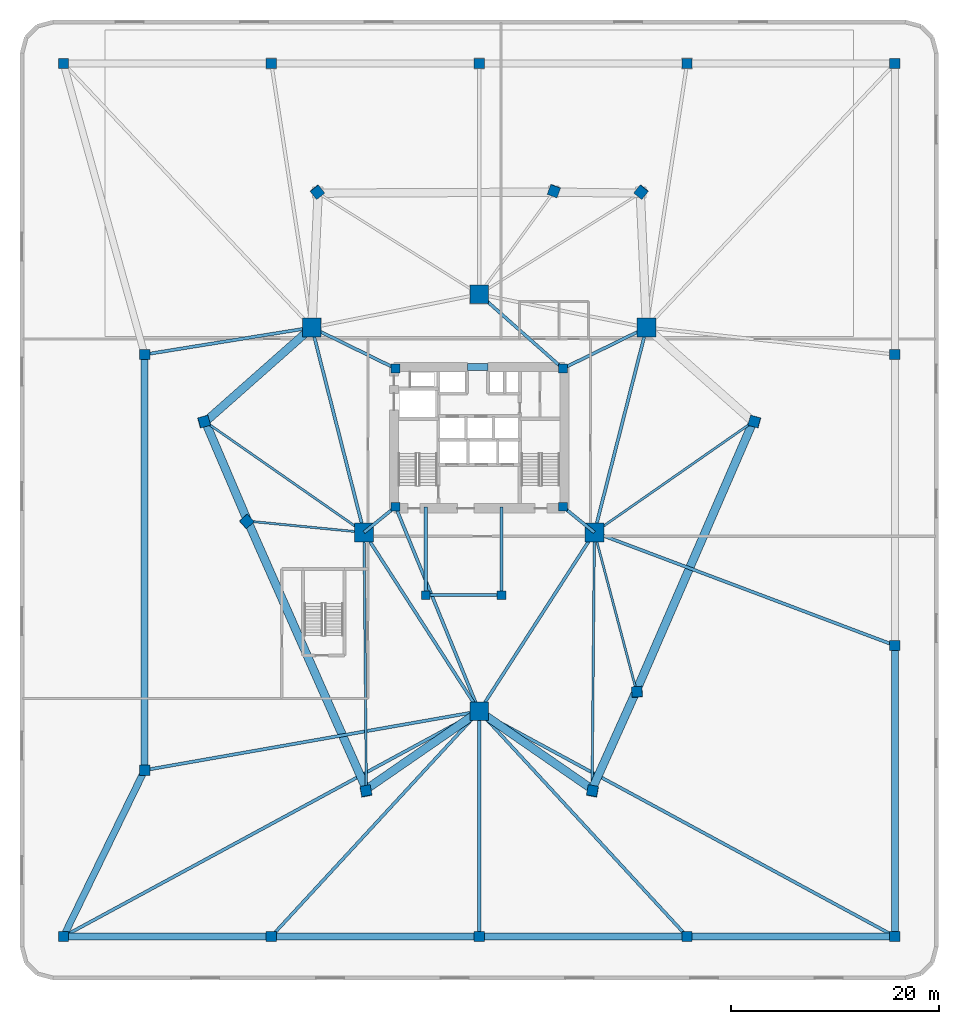
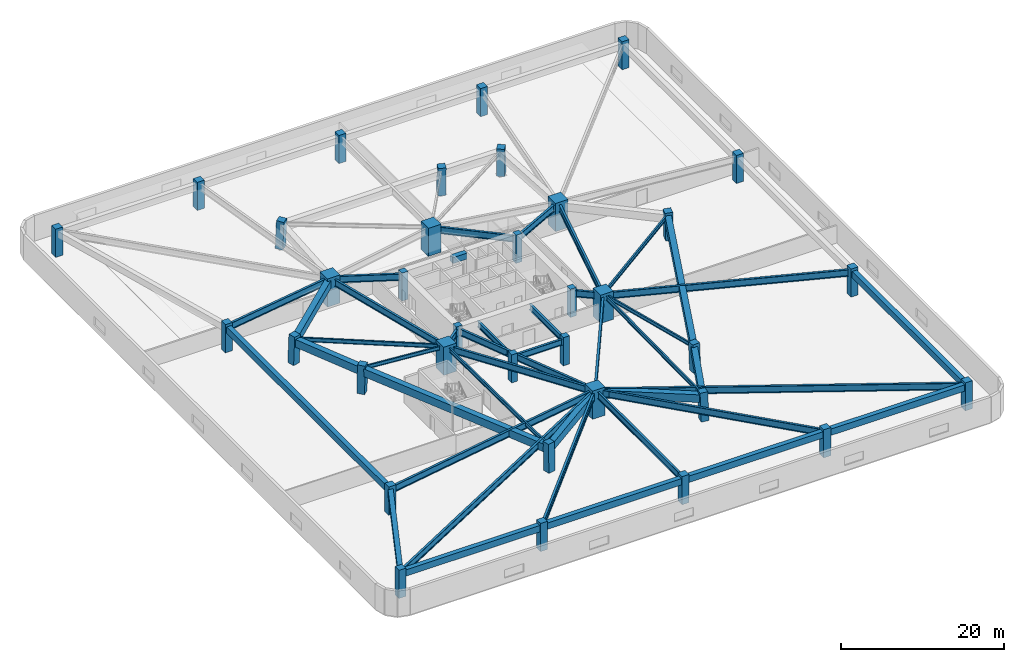
# One storey, part 1 of 10: 42 beams, 35 columns.
"""IFC4 building model written with IfcOpenShell, lengths in metres."""

from ifc_helpers import new_model, si_unit, direction, frame, origin, origin_2d, place, context, subcontext, project, spatial, rectangle, i_section, extrude, material, material_profile, profile_set, type_object, element, save


model = new_model("IFC4")

# Units and contexts
model_context = context("Model", 3, precision=1e-05, world=origin(), true_north=direction((0.0, 1.0)))
body_context = subcontext(model_context, "Body", "Model", "MODEL_VIEW")
ifc_project = project(units=[si_unit("LENGTHUNIT", "METRE"), si_unit("AREAUNIT", "SQUARE_METRE"), si_unit("VOLUMEUNIT", "CUBIC_METRE"), si_unit("PLANEANGLEUNIT", "RADIAN"), si_unit("MASSUNIT", "GRAM", prefix="KILO")], contexts=[model_context])

# Site, building, storey
site_placement = place(None, origin())
site = spatial("IfcSite", under=ifc_project, at=site_placement, CompositionType="ELEMENT")
building_placement = place(site_placement, origin())
building = spatial("IfcBuilding", under=site, at=building_placement, Name="Talyreon Biosciences Tower", CompositionType="ELEMENT")
storey_placement = place(building_placement, frame((0.0, 0.0, 18.60009765625)))
storey = spatial("IfcBuildingStorey", under=building, at=storey_placement, Name="L04", CompositionType="ELEMENT", Elevation=18.60009765625)

# Columns
ifc_material_1 = material(Name="Concrete C60/75", Category="concrete")
ifc_material_profile_1 = material_profile(ifc_material_1, rectangle(XDim=1.800048828125, YDim=1.800048828125, at=origin_2d()), Name="RC 1800x1800")
ifc_profile_set_1 = profile_set([ifc_material_profile_1], Name="Concrete C60/75")
column_type_1 = type_object("IfcColumnType", Name="MegaColumn_1800", PredefinedType="COLUMN", material=ifc_profile_set_1)
for number, where, z_axis, x_axis, name in (
    (1, (66.0, 41.6669921875, 0.0), (0.0, 0.0, 1.0), (1.0, 0.0, 0.0), "L04 Composite Mega-Column MC1"),
    (2, (82.102294921875, 78.5986328125, 0.0), (0.0, 0.0, 1.0), (1.0, 0.0, 0.0), "L04 Composite Mega-Column MC2"),
    (3, (49.897705078125, 78.5986328125, 0.0), (0.0, 0.0, 1.0), (1.0, 0.0, 0.0), "L04 Composite Mega-Column MC3"),
    (4, (77.086181640625, 58.88037109375, 0.0), (0.0, 0.0, 1.0), (1.0, 0.0, 0.0), "L04 Composite Mega-Column MC4"),
    (5, (66.0, 81.788818359375, 0.0), (0.0, 0.0, 1.0), (1.0, 0.0, 0.0), "L04 Composite Mega-Column MC5"),
    (6, (54.913818359375, 58.88037109375, 0.0), (0.0, 0.0, 1.0), (1.0, 0.0, 0.0), "L04 Composite Mega-Column MC6"),
):
    element("IfcColumn", number, at=place(storey_placement, frame(where, z_axis=z_axis, x_axis=x_axis)), inside=storey, type_object=column_type_1, Name=name, PredefinedType="COLUMN", context=body_context, shape_type="SweptSolid", body=[
        extrude(rectangle(XDim=1.800048828125, YDim=1.800048828125, at=origin_2d()), origin(), (0.0, 0.0, 1.0), 4.199951171875),
    ])
ifc_material_profile_2 = material_profile(ifc_material_1, rectangle(XDim=0.85009765625, YDim=0.85009765625, at=origin_2d()), Name="RC 850x850")
ifc_profile_set_2 = profile_set([ifc_material_profile_2], Name="Concrete C60/75")
column_type_2 = type_object("IfcColumnType", Name="PerimeterColumn_850", PredefinedType="COLUMN", material=ifc_profile_set_2)
for number, where, z_axis, x_axis, name in (
    (7, (57.949951171875, 61.35009765625, 0.0), (0.0, 0.0, 1.0), (1.0, 0.0, 0.0), "L04 Core Column CC1"),
    (8, (74.050048828125, 61.35009765625, 0.0), (0.0, 0.0, 1.0), (1.0, 0.0, 0.0), "L04 Core Column CC2"),
    (9, (74.050048828125, 74.64990234375, 0.0), (0.0, 0.0, 1.0), (1.0, 0.0, 0.0), "L04 Core Column CC3"),
    (10, (57.949951171875, 74.64990234375, 0.0), (0.0, 0.0, 1.0), (1.0, 0.0, 0.0), "L04 Core Column CC4"),
    (11, (60.85009765625, 52.840087890625, 0.0), (0.0, 0.0, 1.0), (1.0, 0.0, 0.0), "L04 Core Column CSW"),
    (12, (68.14990234375, 52.840087890625, 0.0), (0.0, 0.0, 1.0), (1.0, 0.0, 0.0), "L04 Core Column CSE"),
):
    element("IfcColumn", number, at=place(storey_placement, frame(where, z_axis=z_axis, x_axis=x_axis)), inside=storey, type_object=column_type_2, Name=name, PredefinedType="COLUMN", context=body_context, shape_type="SweptSolid", body=[
        extrude(rectangle(XDim=0.85009765625, YDim=0.85009765625, at=origin_2d()), origin(), (0.0, 0.0, 1.0), 4.199951171875),
    ])
ifc_material_profile_3 = material_profile(ifc_material_1, rectangle(XDim=1.0, YDim=1.0, at=origin_2d()), Name="RC 1000x1000")
ifc_profile_set_3 = profile_set([ifc_material_profile_3], Name="Concrete C60/75")
column_type_3 = type_object("IfcColumnType", Name="PodiumColumn_1000", PredefinedType="COLUMN", material=ifc_profile_set_3)
for number, where, z_axis, x_axis, name in (
    (13, (26.0, 20.0, 0.0), (0.0, 0.0, 1.0), (1.0, 0.0, 0.0), "L04 Podium Pilotis Column PDC01"),
    (14, (46.0, 20.0, 0.0), (0.0, 0.0, 1.0), (1.0, 0.0, 0.0), "L04 Podium Pilotis Column PDC02"),
    (15, (66.0, 20.0, 0.0), (0.0, 0.0, 1.0), (1.0, 0.0, 0.0), "L04 Podium Pilotis Column PDC03"),
    (16, (86.0, 20.0, 0.0), (0.0, 0.0, 1.0), (1.0, 0.0, 0.0), "L04 Podium Pilotis Column PDC04"),
    (17, (106.0, 20.0, 0.0), (0.0, 0.0, 1.0), (1.0, 0.0, 0.0), "L04 Podium Pilotis Column PDC05"),
    (18, (106.0, 48.0, 0.0), (0.0, 0.0, 1.0), (1.0, 0.0, 0.0), "L04 Podium Pilotis Column PDC06"),
    (19, (106.0, 76.0, 0.0), (0.0, 0.0, 1.0), (1.0, 0.0, 0.0), "L04 Podium Pilotis Column PDC07"),
    (20, (106.0, 104.0, 0.0), (0.0, 0.0, 1.0), (1.0, 0.0, 0.0), "L04 Podium Pilotis Column PDC08"),
    (21, (86.0, 104.0, 0.0), (0.0, 0.0, 1.0), (1.0, 0.0, 0.0), "L04 Podium Pilotis Column PDC09"),
    (22, (66.0, 104.0, 0.0), (0.0, 0.0, 1.0), (1.0, 0.0, 0.0), "L04 Podium Pilotis Column PDC10"),
    (23, (46.0, 104.0, 0.0), (0.0, 0.0, 1.0), (1.0, 0.0, 0.0), "L04 Podium Pilotis Column PDC11"),
    (24, (26.0, 104.0, 0.0), (0.0, 0.0, 1.0), (1.0, 0.0, 0.0), "L04 Podium Pilotis Column PDC12"),
    (25, (33.800048828125, 76.0, 0.0), (0.0, 0.0, 1.0), (1.0, 0.0, 0.0), "L04 Podium Pilotis Column PDC13"),
    (26, (33.800048828125, 36.0, 0.0), (0.0, 0.0, 1.0), (1.0, 0.0, 0.0), "L04 Podium Pilotis Column PDC14"),
):
    element("IfcColumn", number, at=place(storey_placement, frame(where, z_axis=z_axis, x_axis=x_axis)), inside=storey, type_object=column_type_3, Name=name, PredefinedType="COLUMN", context=body_context, shape_type="SweptSolid", body=[
        extrude(rectangle(XDim=1.0, YDim=1.0, at=origin_2d()), origin(), (0.0, 0.0, 1.0), 4.199951171875),
    ])
column_1_placement = place(storey_placement, frame((76.906494140625, 33.97216796875, 0.0029296875), z_axis=(-0.010756270952, 0.047327592189, 0.998821506403), x_axis=(-0.188695934145, -0.981028961424, 0.044452460957)))
element("IfcColumn", 27, at=column_1_placement, inside=storey, type_object=column_type_3, Name="L04 Tapering Perimeter Column PC-SE1", PredefinedType="COLUMN", context=body_context, shape_type="SweptSolid", body=[
    extrude(rectangle(XDim=1.0, YDim=1.0, at=origin_2d()), origin(), (0.0, 0.0, 1.0), 4.198974609375),
])
column_2_placement = place(storey_placement, frame((81.196533203125, 43.51123046875, 0.0029296875), z_axis=(-0.01704378489, 0.033273190979, 0.999300957749), x_axis=(0.059994275306, -0.997611295684, 0.034240176017)))
element("IfcColumn", 28, at=column_2_placement, inside=storey, type_object=column_type_3, Name="L04 Tapering Perimeter Column PL-SE", PredefinedType="COLUMN", context=body_context, shape_type="SweptSolid", body=[
    extrude(rectangle(XDim=1.0, YDim=1.0, at=origin_2d()), origin(), (0.0, 0.0, 1.0), 4.197021484375),
])
column_3_placement = place(storey_placement, frame((92.50048828125, 69.5517578125, 0.0029296875), z_axis=(-0.034091169757, -0.004944964896, 0.999406493608), x_axis=(0.963493735063, -0.265865338841, 0.031550659232)))
element("IfcColumn", 29, at=column_3_placement, inside=storey, type_object=column_type_3, Name="L04 Tapering Perimeter Column PC-SE2", PredefinedType="COLUMN", context=body_context, shape_type="SweptSolid", body=[
    extrude(rectangle(XDim=1.0, YDim=1.0, at=origin_2d()), origin(), (0.0, 0.0, 1.0), 4.196533203125),
])
column_4_placement = place(storey_placement, frame((81.593994140625, 91.648681640625, 0.0029296875), z_axis=(-0.02332622372, -0.029085066982, 0.999304731384), x_axis=(-0.780107149771, 0.625645934116, 0.0)))
element("IfcColumn", 30, at=column_4_placement, inside=storey, type_object=column_type_3, Name="L04 Tapering Perimeter Column PC-N1", PredefinedType="COLUMN", context=body_context, shape_type="SweptSolid", body=[
    extrude(rectangle(XDim=1.0, YDim=1.0, at=origin_2d()), origin(), (0.0, 0.0, 1.0), 4.197021484375),
])
column_5_placement = place(storey_placement, frame((73.197265625, 91.748779296875, 0.0029296875), z_axis=(-0.010763761875, -0.029149430808, 0.999517109465), x_axis=(-0.9380871136, 0.346399433166, 0.0)))
element("IfcColumn", 31, at=column_5_placement, inside=storey, type_object=column_type_3, Name="L04 Tapering Perimeter Column PL-N", PredefinedType="COLUMN", context=body_context, shape_type="SweptSolid", body=[
    extrude(rectangle(XDim=1.0, YDim=1.0, at=origin_2d()), origin(), (0.0, 0.0, 1.0), 4.196044921875),
])
column_6_placement = place(storey_placement, frame((50.406005859375, 91.648681640625, 0.0029296875), z_axis=(0.02332622372, -0.029085066982, 0.999304731384), x_axis=(-0.780107149771, -0.625645934116, 0.0)))
element("IfcColumn", 32, at=column_6_placement, inside=storey, type_object=column_type_3, Name="L04 Tapering Perimeter Column PC-N2", PredefinedType="COLUMN", context=body_context, shape_type="SweptSolid", body=[
    extrude(rectangle(XDim=1.0, YDim=1.0, at=origin_2d()), origin(), (0.0, 0.0, 1.0), 4.197021484375),
])
column_7_placement = place(storey_placement, frame((39.49951171875, 69.5517578125, 0.0029296875), z_axis=(0.034091169757, -0.004944964896, 0.999406493608), x_axis=(0.963493735063, 0.265865338841, -0.031550659232)))
element("IfcColumn", 33, at=column_7_placement, inside=storey, type_object=column_type_3, Name="L04 Tapering Perimeter Column PC-SW1", PredefinedType="COLUMN", context=body_context, shape_type="SweptSolid", body=[
    extrude(rectangle(XDim=1.0, YDim=1.0, at=origin_2d()), origin(), (0.0, 0.0, 1.0), 4.196533203125),
])
column_8_placement = place(storey_placement, frame((43.606201171875, 59.9326171875, 0.0029296875), z_axis=(0.027812758969, 0.009076967362, 0.999571937932), x_axis=(0.745782245693, 0.665650678625, -0.026795821602)))
element("IfcColumn", 34, at=column_8_placement, inside=storey, type_object=column_type_3, Name="L04 Tapering Perimeter Column PL-SW", PredefinedType="COLUMN", context=body_context, shape_type="SweptSolid", body=[
    extrude(rectangle(XDim=1.0, YDim=1.0, at=origin_2d()), origin(), (0.0, 0.0, 1.0), 4.19580078125),
])
column_9_placement = place(storey_placement, frame((55.093505859375, 33.97216796875, 0.0029296875), z_axis=(0.010756270952, 0.047327592189, 0.998821506403), x_axis=(-0.188695934145, 0.981028961424, -0.044452460957)))
element("IfcColumn", 35, at=column_9_placement, inside=storey, type_object=column_type_3, Name="L04 Tapering Perimeter Column PC-SW2", PredefinedType="COLUMN", context=body_context, shape_type="SweptSolid", body=[
    extrude(rectangle(XDim=1.0, YDim=1.0, at=origin_2d()), origin(), (0.0, 0.0, 1.0), 4.198974609375),
])

# Beams
ifc_material_profile_4 = material_profile(ifc_material_1, rectangle(XDim=0.699951171875, YDim=0.89990234375, at=origin_2d()), Name="RCB 700x900")
ifc_profile_set_4 = profile_set([ifc_material_profile_4], Name="Concrete C60/75")
beam_type_1 = type_object("IfcBeamType", Name="CoreCouplingLintel_700x900", PredefinedType="LINTEL", material=ifc_profile_set_4)
beam_1_placement = place(storey_placement, frame((64.85009765625, 74.800048828125, 3.349853515625), z_axis=(1.0, 0.0, 0.0), x_axis=(0.0, 1.0, 0.0)))
element("IfcBeam", 36, at=beam_1_placement, inside=storey, type_object=beam_type_1, Name="L04 Core Coupling Lintel", PredefinedType="LINTEL", context=body_context, shape_type="SweptSolid", body=[
    extrude(rectangle(XDim=0.699951171875, YDim=0.89990234375, at=origin_2d()), origin(), (0.0, 0.0, 1.0), 2.0),
])
ifc_material_2 = material(Name="Concrete C50/60", Category="concrete")
ifc_material_profile_5 = material_profile(ifc_material_2, rectangle(XDim=0.64990234375, YDim=0.949951171875, at=origin_2d()), Name="RCB 650x950")
ifc_profile_set_5 = profile_set([ifc_material_profile_5], Name="Concrete C50/60")
beam_type_2 = type_object("IfcBeamType", Name="PodiumGirder_650x950", PredefinedType="T_BEAM", material=ifc_profile_set_5)
for number, where, z_axis, x_axis, name in (
    (37, (26.0, 20.0, 3.324951171875), (1.0, 0.0, 0.0), (0.0, 1.0, 0.0), "L04 Podium Perimeter Ring Girder 01"),
    (38, (46.0, 20.0, 3.324951171875), (1.0, 0.0, 0.0), (0.0, 1.0, 0.0), "L04 Podium Perimeter Ring Girder 02"),
    (39, (66.0, 20.0, 3.324951171875), (1.0, 0.0, 0.0), (0.0, 1.0, 0.0), "L04 Podium Perimeter Ring Girder 03"),
    (40, (86.0, 20.0, 3.324951171875), (1.0, 0.0, 0.0), (0.0, 1.0, 0.0), "L04 Podium Perimeter Ring Girder 04"),
):
    element("IfcBeam", number, at=place(storey_placement, frame(where, z_axis=z_axis, x_axis=x_axis)), inside=storey, type_object=beam_type_2, Name=name, PredefinedType="T_BEAM", context=body_context, shape_type="SweptSolid", body=[
        extrude(rectangle(XDim=0.64990234375, YDim=0.949951171875, at=origin_2d()), origin(), (0.0, 0.0, 1.0), 20.0),
    ])
beam_2_placement = place(storey_placement, frame((106.0, 20.0, 3.324951171875), z_axis=(0.0, 1.0, 0.0), x_axis=(-1.0, 0.0, 0.0)))
element("IfcBeam", 41, at=beam_2_placement, inside=storey, type_object=beam_type_2, Name="L04 Podium Perimeter Ring Girder 05", PredefinedType="T_BEAM", context=body_context, shape_type="SweptSolid", body=[
    extrude(rectangle(XDim=0.64990234375, YDim=0.949951171875, at=origin_2d()), origin(), (0.0, 0.0, 1.0), 28.0),
])
beam_3_placement = place(storey_placement, frame((33.800048828125, 76.0, 3.324951171875), z_axis=(0.0, -1.0, 0.0), x_axis=(1.0, 0.0, 0.0)))
element("IfcBeam", 42, at=beam_3_placement, inside=storey, type_object=beam_type_2, Name="L04 Podium Perimeter Ring Girder 13", PredefinedType="T_BEAM", context=body_context, shape_type="SweptSolid", body=[
    extrude(rectangle(XDim=0.64990234375, YDim=0.949951171875, at=origin_2d()), origin(), (0.0, 0.0, 1.0), 40.0),
])
beam_4_placement = place(storey_placement, frame((33.800048828125, 36.0, 3.324951171875), z_axis=(-0.438204463597, -0.898875323993, 0.0), x_axis=(0.898875323993, -0.438204463597, 0.0)))
element("IfcBeam", 43, at=beam_4_placement, inside=storey, type_object=beam_type_2, Name="L04 Podium Perimeter Ring Girder 14", PredefinedType="T_BEAM", context=body_context, shape_type="SweptSolid", body=[
    extrude(rectangle(XDim=0.64990234375, YDim=0.949951171875, at=origin_2d()), origin(), (0.0, 0.0, 1.0), 17.800048828125),
])
ifc_material_3 = material(Name="Steel SM420", Category="steel")
ifc_material_profile_6 = material_profile(ifc_material_3, i_section(OverallWidth=0.302001953125, OverallDepth=1.008056640625, WebThickness=0.02099609375, FlangeThickness=0.0400390625, FilletRadius=0.030029296875, at=origin_2d()), Name="HE1000M")
ifc_profile_set_6 = profile_set([ifc_material_profile_6], Name="Steel SM420")
beam_type_3 = type_object("IfcBeamType", Name="SteelGirder_HE1000M", PredefinedType="BEAM", material=ifc_profile_set_6)
beam_5_placement = place(storey_placement, frame((66.0, 41.6669921875, 3.2958984375), z_axis=(0.541463723609, 0.840724114092, 0.0), x_axis=(-0.840724114092, 0.541463723609, 0.0)))
element("IfcBeam", 44, at=beam_5_placement, inside=storey, type_object=beam_type_3, Name="L04 Mega-Ring Girder 1", PredefinedType="BEAM", context=body_context, shape_type="SweptSolid", body=[
    extrude(i_section(OverallWidth=0.302001953125, OverallDepth=1.008056640625, WebThickness=0.02099609375, FlangeThickness=0.0400390625, FilletRadius=0.030029296875, at=origin_2d()), origin(), (0.0, 0.0, 1.0), 20.474365234375),
])
for number, where, z_axis, x_axis, name in (
    (45, (77.086181640625, 58.88037109375, 3.2958984375), (0.246537082299, 0.969133358755, 0.0), (-0.969133358755, 0.246537082299, 0.0), "L04 Mega-Ring Girder 2"),
    (46, (49.897705078125, 78.5986328125, 3.2958984375), (0.246537082299, -0.969133358755, 0.0), (0.969133358755, 0.246537082299, 0.0), "L04 Mega-Ring Girder 5"),
):
    element("IfcBeam", number, at=place(storey_placement, frame(where, z_axis=z_axis, x_axis=x_axis)), inside=storey, type_object=beam_type_3, Name=name, PredefinedType="BEAM", context=body_context, shape_type="SweptSolid", body=[
        extrude(i_section(OverallWidth=0.302001953125, OverallDepth=1.008056640625, WebThickness=0.02099609375, FlangeThickness=0.0400390625, FilletRadius=0.030029296875, at=origin_2d()), origin(), (0.0, 0.0, 1.0), 20.34619140625),
    ])
beam_6_placement = place(storey_placement, frame((54.913818359375, 58.88037109375, 3.2958984375), z_axis=(0.541463723609, -0.840724114092, 0.0), x_axis=(0.840724114092, 0.541463723609, 0.0)))
element("IfcBeam", 47, at=beam_6_placement, inside=storey, type_object=beam_type_3, Name="L04 Mega-Ring Girder 6", PredefinedType="BEAM", context=body_context, shape_type="SweptSolid", body=[
    extrude(i_section(OverallWidth=0.302001953125, OverallDepth=1.008056640625, WebThickness=0.02099609375, FlangeThickness=0.0400390625, FilletRadius=0.030029296875, at=origin_2d()), origin(), (0.0, 0.0, 1.0), 20.474365234375),
])
beam_7_placement = place(storey_placement, frame((57.949951171875, 61.35009765625, 3.2958984375), z_axis=(0.378547014545, -0.925582064314, 0.0), x_axis=(0.925582064314, 0.378547014545, 0.0)))
element("IfcBeam", 48, at=beam_7_placement, inside=storey, type_object=beam_type_3, Name="L04 Radial Primary Girder 1", PredefinedType="BEAM", context=body_context, shape_type="SweptSolid", body=[
    extrude(i_section(OverallWidth=0.302001953125, OverallDepth=1.008056640625, WebThickness=0.02099609375, FlangeThickness=0.0400390625, FilletRadius=0.030029296875, at=origin_2d()), origin(), (0.0, 0.0, 1.0), 21.265625),
])
beam_8_placement = place(storey_placement, frame((74.050048828125, 61.35009765625, 3.2958984375), z_axis=(0.775755154013, -0.631034025249, 0.0), x_axis=(0.631034025249, 0.775755154013, 0.0)))
element("IfcBeam", 49, at=beam_8_placement, inside=storey, type_object=beam_type_3, Name="L04 Radial Primary Girder 2", PredefinedType="BEAM", context=body_context, shape_type="SweptSolid", body=[
    extrude(i_section(OverallWidth=0.302001953125, OverallDepth=1.008056640625, WebThickness=0.02099609375, FlangeThickness=0.0400390625, FilletRadius=0.030029296875, at=origin_2d()), origin(), (0.0, 0.0, 1.0), 3.913818359375),
])
beam_9_placement = place(storey_placement, frame((74.050048828125, 74.64990234375, 3.2958984375), z_axis=(0.897852360314, 0.440296648952, 0.0), x_axis=(-0.440296648952, 0.897852360314, 0.0)))
element("IfcBeam", 50, at=beam_9_placement, inside=storey, type_object=beam_type_3, Name="L04 Radial Primary Girder 3", PredefinedType="BEAM", context=body_context, shape_type="SweptSolid", body=[
    extrude(i_section(OverallWidth=0.302001953125, OverallDepth=1.008056640625, WebThickness=0.02099609375, FlangeThickness=0.0400390625, FilletRadius=0.030029296875, at=origin_2d()), origin(), (0.0, 0.0, 1.0), 8.96826171875),
])
beam_10_placement = place(storey_placement, frame((74.050048828125, 74.64990234375, 3.2958984375), z_axis=(-0.748178733955, 0.663497235908, 0.0), x_axis=(-0.663497235908, -0.748178733955, 0.0)))
element("IfcBeam", 51, at=beam_10_placement, inside=storey, type_object=beam_type_3, Name="L04 Radial Primary Girder 4", PredefinedType="BEAM", context=body_context, shape_type="SweptSolid", body=[
    extrude(i_section(OverallWidth=0.302001953125, OverallDepth=1.008056640625, WebThickness=0.02099609375, FlangeThickness=0.0400390625, FilletRadius=0.030029296875, at=origin_2d()), origin(), (0.0, 0.0, 1.0), 10.759521484375),
])
beam_11_placement = place(storey_placement, frame((57.949951171875, 74.64990234375, 3.2958984375), z_axis=(-0.897852360314, 0.440296648952, 0.0), x_axis=(-0.440296648952, -0.897852360314, 0.0)))
element("IfcBeam", 52, at=beam_11_placement, inside=storey, type_object=beam_type_3, Name="L04 Radial Primary Girder 5", PredefinedType="BEAM", context=body_context, shape_type="SweptSolid", body=[
    extrude(i_section(OverallWidth=0.302001953125, OverallDepth=1.008056640625, WebThickness=0.02099609375, FlangeThickness=0.0400390625, FilletRadius=0.030029296875, at=origin_2d()), origin(), (0.0, 0.0, 1.0), 8.96826171875),
])
beam_12_placement = place(storey_placement, frame((57.949951171875, 61.35009765625, 3.2958984375), z_axis=(-0.775755154013, -0.631034025249, 0.0), x_axis=(0.631034025249, -0.775755154013, 0.0)))
element("IfcBeam", 53, at=beam_12_placement, inside=storey, type_object=beam_type_3, Name="L04 Radial Primary Girder 6", PredefinedType="BEAM", context=body_context, shape_type="SweptSolid", body=[
    extrude(i_section(OverallWidth=0.302001953125, OverallDepth=1.008056640625, WebThickness=0.02099609375, FlangeThickness=0.0400390625, FilletRadius=0.030029296875, at=origin_2d()), origin(), (0.0, 0.0, 1.0), 3.913818359375),
])
beam_13_placement = place(storey_placement, frame((66.0, 41.6669921875, 3.2958984375), z_axis=(-0.879288969782, -0.47628868097, 0.0), x_axis=(0.47628868097, -0.879288969782, 0.0)))
element("IfcBeam", 54, at=beam_13_placement, inside=storey, type_object=beam_type_3, Name="L04 Podium Radial Tie Girder PDC01", PredefinedType="BEAM", context=body_context, shape_type="SweptSolid", body=[
    extrude(i_section(OverallWidth=0.302001953125, OverallDepth=1.008056640625, WebThickness=0.02099609375, FlangeThickness=0.0400390625, FilletRadius=0.030029296875, at=origin_2d()), origin(), (0.0, 0.0, 1.0), 45.4912109375),
])
beam_14_placement = place(storey_placement, frame((66.0, 41.6669921875, 3.2958984375), z_axis=(-0.678274600536, -0.73480852354, 0.0), x_axis=(0.73480852354, -0.678274600536, 0.0)))
element("IfcBeam", 55, at=beam_14_placement, inside=storey, type_object=beam_type_3, Name="L04 Podium Radial Tie Girder PDC02", PredefinedType="BEAM", context=body_context, shape_type="SweptSolid", body=[
    extrude(i_section(OverallWidth=0.302001953125, OverallDepth=1.008056640625, WebThickness=0.02099609375, FlangeThickness=0.0400390625, FilletRadius=0.030029296875, at=origin_2d()), origin(), (0.0, 0.0, 1.0), 29.486572265625),
])
beam_15_placement = place(storey_placement, frame((66.0, 41.6669921875, 3.2958984375), z_axis=(0.0, -1.0, 0.0), x_axis=(1.0, 0.0, 0.0)))
element("IfcBeam", 56, at=beam_15_placement, inside=storey, type_object=beam_type_3, Name="L04 Podium Radial Tie Girder PDC03", PredefinedType="BEAM", context=body_context, shape_type="SweptSolid", body=[
    extrude(i_section(OverallWidth=0.302001953125, OverallDepth=1.008056640625, WebThickness=0.02099609375, FlangeThickness=0.0400390625, FilletRadius=0.030029296875, at=origin_2d()), origin(), (0.0, 0.0, 1.0), 21.6669921875),
])
beam_16_placement = place(storey_placement, frame((66.0, 41.6669921875, 3.2958984375), z_axis=(0.678274600536, -0.73480852354, 0.0), x_axis=(0.73480852354, 0.678274600536, 0.0)))
element("IfcBeam", 57, at=beam_16_placement, inside=storey, type_object=beam_type_3, Name="L04 Podium Radial Tie Girder PDC04", PredefinedType="BEAM", context=body_context, shape_type="SweptSolid", body=[
    extrude(i_section(OverallWidth=0.302001953125, OverallDepth=1.008056640625, WebThickness=0.02099609375, FlangeThickness=0.0400390625, FilletRadius=0.030029296875, at=origin_2d()), origin(), (0.0, 0.0, 1.0), 29.486572265625),
])
beam_17_placement = place(storey_placement, frame((66.0, 41.6669921875, 3.2958984375), z_axis=(0.879288969782, -0.47628868097, 0.0), x_axis=(0.47628868097, 0.879288969782, 0.0)))
element("IfcBeam", 58, at=beam_17_placement, inside=storey, type_object=beam_type_3, Name="L04 Podium Radial Tie Girder PDC05", PredefinedType="BEAM", context=body_context, shape_type="SweptSolid", body=[
    extrude(i_section(OverallWidth=0.302001953125, OverallDepth=1.008056640625, WebThickness=0.02099609375, FlangeThickness=0.0400390625, FilletRadius=0.030029296875, at=origin_2d()), origin(), (0.0, 0.0, 1.0), 45.4912109375),
])
beam_18_placement = place(storey_placement, frame((77.086181640625, 58.88037109375, 3.2958984375), z_axis=(0.935927476384, -0.352192786623, 0.0), x_axis=(0.352192786623, 0.935927476384, 0.0)))
element("IfcBeam", 59, at=beam_18_placement, inside=storey, type_object=beam_type_3, Name="L04 Podium Radial Tie Girder PDC06", PredefinedType="BEAM", context=body_context, shape_type="SweptSolid", body=[
    extrude(i_section(OverallWidth=0.302001953125, OverallDepth=1.008056640625, WebThickness=0.02099609375, FlangeThickness=0.0400390625, FilletRadius=0.030029296875, at=origin_2d()), origin(), (0.0, 0.0, 1.0), 30.893310546875),
])
beam_19_placement = place(storey_placement, frame((49.897705078125, 78.5986328125, 3.2958984375), z_axis=(-0.987219548989, -0.159366125932, 0.0), x_axis=(0.159366125932, -0.987219548989, 0.0)))
element("IfcBeam", 60, at=beam_19_placement, inside=storey, type_object=beam_type_3, Name="L04 Podium Radial Tie Girder PDC13", PredefinedType="BEAM", context=body_context, shape_type="SweptSolid", body=[
    extrude(i_section(OverallWidth=0.302001953125, OverallDepth=1.008056640625, WebThickness=0.02099609375, FlangeThickness=0.0400390625, FilletRadius=0.030029296875, at=origin_2d()), origin(), (0.0, 0.0, 1.0), 16.30615234375),
])
beam_20_placement = place(storey_placement, frame((66.0, 41.6669921875, 3.2958984375), z_axis=(-0.984863814232, -0.173329938024, 0.0), x_axis=(0.173329938024, -0.984863814232, 0.0)))
element("IfcBeam", 61, at=beam_20_placement, inside=storey, type_object=beam_type_3, Name="L04 Podium Radial Tie Girder PDC14", PredefinedType="BEAM", context=body_context, shape_type="SweptSolid", body=[
    extrude(i_section(OverallWidth=0.302001953125, OverallDepth=1.008056640625, WebThickness=0.02099609375, FlangeThickness=0.0400390625, FilletRadius=0.030029296875, at=origin_2d()), origin(), (0.0, 0.0, 1.0), 32.69482421875),
])
ifc_material_profile_7 = material_profile(ifc_material_3, i_section(OverallWidth=0.300048828125, OverallDepth=0.89990234375, WebThickness=0.0185546875, FlangeThickness=0.034912109375, FilletRadius=0.030029296875, at=origin_2d()), Name="HE900B")
ifc_profile_set_7 = profile_set([ifc_material_profile_7], Name="Steel SM420")
beam_type_4 = type_object("IfcBeamType", Name="SteelGirder_HE900B", PredefinedType="BEAM", material=ifc_profile_set_7)
beam_21_placement = place(storey_placement, frame((60.85009765625, 52.840087890625, 3.349853515625), z_axis=(1.0, 0.0, 0.0), x_axis=(0.0, 1.0, 0.0)))
element("IfcBeam", 62, at=beam_21_placement, inside=storey, type_object=beam_type_4, Name="L04 Crown Shaft Spine Girder S", PredefinedType="BEAM", context=body_context, shape_type="SweptSolid", body=[
    extrude(i_section(OverallWidth=0.300048828125, OverallDepth=0.89990234375, WebThickness=0.0185546875, FlangeThickness=0.034912109375, FilletRadius=0.030029296875, at=origin_2d()), origin(), (0.0, 0.0, 1.0), 7.2998046875),
])
for number, where, z_axis, x_axis, name in (
    (63, (60.85009765625, 52.840087890625, 3.349853515625), (0.0, 1.0, 0.0), (-1.0, 0.0, 0.0), "L04 Crown Shaft Tie Girder W"),
    (64, (68.14990234375, 52.840087890625, 3.349853515625), (0.0, 1.0, 0.0), (-1.0, 0.0, 0.0), "L04 Crown Shaft Tie Girder E"),
):
    element("IfcBeam", number, at=place(storey_placement, frame(where, z_axis=z_axis, x_axis=x_axis)), inside=storey, type_object=beam_type_4, Name=name, PredefinedType="BEAM", context=body_context, shape_type="SweptSolid", body=[
        extrude(i_section(OverallWidth=0.300048828125, OverallDepth=0.89990234375, WebThickness=0.0185546875, FlangeThickness=0.034912109375, FilletRadius=0.030029296875, at=origin_2d()), origin(), (0.0, 0.0, 1.0), 8.510009765625),
    ])
ifc_material_4 = material(Name="Steel SM355", Category="steel")
ifc_material_profile_8 = material_profile(ifc_material_4, i_section(OverallWidth=0.2099609375, OverallDepth=0.550048828125, WebThickness=0.010986328125, FlangeThickness=0.01708984375, FilletRadius=0.02392578125, at=origin_2d()), Name="IPE550")
ifc_profile_set_8 = profile_set([ifc_material_profile_8], Name="Steel SM355")
beam_type_5 = type_object("IfcBeamType", Name="SteelJoist_IPE550", PredefinedType="JOIST", material=ifc_profile_set_8)
beam_22_placement = place(storey_placement, frame((77.086181640625, 58.88037109375, 3.52490234375), z_axis=(0.256336318547, -0.966587653446, 0.0), x_axis=(0.966587653446, 0.256336318547, 0.0)))
element("IfcBeam", 65, at=beam_22_placement, inside=storey, type_object=beam_type_5, Name="L04 Radial Composite Floor Joist PL-SE", PredefinedType="JOIST", context=body_context, shape_type="SweptSolid", body=[
    extrude(i_section(OverallWidth=0.2099609375, OverallDepth=0.550048828125, WebThickness=0.010986328125, FlangeThickness=0.01708984375, FilletRadius=0.02392578125, at=origin_2d()), origin(), (0.0, 0.0, 1.0), 15.755859375),
])
beam_23_placement = place(storey_placement, frame((54.913818359375, 58.88037109375, 3.52490234375), z_axis=(-0.995287215857, 0.096970912911, 0.0), x_axis=(-0.096970912911, -0.995287215857, 0.0)))
element("IfcBeam", 66, at=beam_23_placement, inside=storey, type_object=beam_type_5, Name="L04 Radial Composite Floor Joist PL-SW", PredefinedType="JOIST", context=body_context, shape_type="SweptSolid", body=[
    extrude(i_section(OverallWidth=0.2099609375, OverallDepth=0.550048828125, WebThickness=0.010986328125, FlangeThickness=0.01708984375, FilletRadius=0.02392578125, at=origin_2d()), origin(), (0.0, 0.0, 1.0), 11.243896484375),
])
ifc_material_profile_9 = material_profile(ifc_material_4, i_section(OverallWidth=0.219970703125, OverallDepth=0.60009765625, WebThickness=0.011962890625, FlangeThickness=0.01904296875, FilletRadius=0.02392578125, at=origin_2d()), Name="IPE600")
ifc_profile_set_9 = profile_set([ifc_material_profile_9], Name="Steel SM355")
beam_type_6 = type_object("IfcBeamType", Name="SteelJoist_IPE600", PredefinedType="JOIST", material=ifc_profile_set_9)
beam_24_placement = place(storey_placement, frame((77.086181640625, 58.88037109375, 3.5), z_axis=(-0.009099514566, -0.99995859856, 0.0), x_axis=(0.99995859856, -0.009099514566, 0.0)))
element("IfcBeam", 67, at=beam_24_placement, inside=storey, type_object=beam_type_6, Name="L04 Radial Composite Floor Joist PC-SE1", PredefinedType="JOIST", context=body_context, shape_type="SweptSolid", body=[
    extrude(i_section(OverallWidth=0.219970703125, OverallDepth=0.60009765625, WebThickness=0.011962890625, FlangeThickness=0.01904296875, FilletRadius=0.02392578125, at=origin_2d()), origin(), (0.0, 0.0, 1.0), 24.71044921875),
])
for number, where, z_axis, x_axis, name in (
    (68, (77.086181640625, 58.88037109375, 3.5), (0.820220674517, 0.572047240265, 0.0), (-0.572047240265, 0.820220674517, 0.0), "L04 Radial Composite Floor Joist PC-SE2"),
    (69, (54.913818359375, 58.88037109375, 3.5), (-0.820220674517, 0.572047240265, 0.0), (-0.572047240265, -0.820220674517, 0.0), "L04 Radial Composite Floor Joist PC-SW1"),
):
    element("IfcBeam", number, at=place(storey_placement, frame(where, z_axis=z_axis, x_axis=x_axis)), inside=storey, type_object=beam_type_6, Name=name, PredefinedType="JOIST", context=body_context, shape_type="SweptSolid", body=[
        extrude(i_section(OverallWidth=0.219970703125, OverallDepth=0.60009765625, WebThickness=0.011962890625, FlangeThickness=0.01904296875, FilletRadius=0.02392578125, at=origin_2d()), origin(), (0.0, 0.0, 1.0), 18.618408203125),
    ])
beam_25_placement = place(storey_placement, frame((54.913818359375, 58.88037109375, 3.5), z_axis=(0.009099514566, -0.99995859856, 0.0), x_axis=(0.99995859856, 0.009099514566, 0.0)))
element("IfcBeam", 70, at=beam_25_placement, inside=storey, type_object=beam_type_6, Name="L04 Radial Composite Floor Joist PC-SW2", PredefinedType="JOIST", context=body_context, shape_type="SweptSolid", body=[
    extrude(i_section(OverallWidth=0.219970703125, OverallDepth=0.60009765625, WebThickness=0.011962890625, FlangeThickness=0.01904296875, FilletRadius=0.02392578125, at=origin_2d()), origin(), (0.0, 0.0, 1.0), 24.71044921875),
])
ifc_material_profile_10 = material_profile(ifc_material_2, rectangle(XDim=0.800048828125, YDim=1.14990234375, at=origin_2d()), Name="RCB 800x1150")
ifc_profile_set_10 = profile_set([ifc_material_profile_10], Name="Concrete C50/60")
beam_type_7 = type_object("IfcBeamType", Name="StepTransferSpandrel_800x1150", PredefinedType="SPANDREL", material=ifc_profile_set_10)
beam_26_placement = place(storey_placement, frame((66.0, 41.6669921875, 3.224853515625), z_axis=(0.823017155438, -0.568016515477, 0.0), x_axis=(0.568016515477, 0.823017155438, 0.0)))
element("IfcBeam", 71, at=beam_26_placement, inside=storey, type_object=beam_type_7, Name="L04 Expressed Horizontal Concrete Spandrel 01", PredefinedType="SPANDREL", context=body_context, shape_type="SweptSolid", body=[
    extrude(rectangle(XDim=0.800048828125, YDim=1.14990234375, at=origin_2d()), origin(), (0.0, 0.0, 1.0), 13.197021484375),
])
beam_27_placement = place(storey_placement, frame((76.861328125, 34.1708984375, 3.224853515625), z_axis=(0.410179115679, 0.912004985217, 0.0), x_axis=(-0.912004985217, 0.410179115679, 0.0)))
element("IfcBeam", 72, at=beam_27_placement, inside=storey, type_object=beam_type_7, Name="L04 Expressed Horizontal Concrete Spandrel 02", PredefinedType="SPANDREL", context=body_context, shape_type="SweptSolid", body=[
    extrude(rectangle(XDim=0.800048828125, YDim=1.14990234375, at=origin_2d()), origin(), (0.0, 0.0, 1.0), 10.394775390625),
])
beam_28_placement = place(storey_placement, frame((81.125, 43.65087890625, 3.224853515625), z_axis=(0.398135574239, 0.917326585533, 0.0), x_axis=(-0.917326585533, 0.398135574239, 0.0)))
element("IfcBeam", 73, at=beam_28_placement, inside=storey, type_object=beam_type_7, Name="L04 Expressed Horizontal Concrete Spandrel 03", PredefinedType="SPANDREL", context=body_context, shape_type="SweptSolid", body=[
    extrude(rectangle(XDim=0.800048828125, YDim=1.14990234375, at=origin_2d()), origin(), (0.0, 0.0, 1.0), 28.212646484375),
])
beam_29_placement = place(storey_placement, frame((49.897705078125, 78.5986328125, 3.224853515625), z_axis=(-0.749149388735, -0.662401081942, 0.0), x_axis=(0.662401081942, -0.749149388735, 0.0)))
element("IfcBeam", 74, at=beam_29_placement, inside=storey, type_object=beam_type_7, Name="L04 Expressed Horizontal Concrete Spandrel 09", PredefinedType="SPANDREL", context=body_context, shape_type="SweptSolid", body=[
    extrude(rectangle(XDim=0.800048828125, YDim=1.14990234375, at=origin_2d()), origin(), (0.0, 0.0, 1.0), 13.68896484375),
])
beam_30_placement = place(storey_placement, frame((39.642578125, 69.531005859375, 3.224853515625), z_axis=(0.392541211614, -0.919734416658, 0.0), x_axis=(0.919734416658, 0.392541211614, 0.0)))
element("IfcBeam", 75, at=beam_30_placement, inside=storey, type_object=beam_type_7, Name="L04 Expressed Horizontal Concrete Spandrel 10", PredefinedType="SPANDREL", context=body_context, shape_type="SweptSolid", body=[
    extrude(rectangle(XDim=0.800048828125, YDim=1.14990234375, at=origin_2d()), origin(), (0.0, 0.0, 1.0), 10.39453125),
])
beam_31_placement = place(storey_placement, frame((43.722900390625, 59.970703125, 3.224853515625), z_axis=(0.404634061729, -0.914478690888, 0.0), x_axis=(0.914478690888, 0.404634061729, 0.0)))
element("IfcBeam", 76, at=beam_31_placement, inside=storey, type_object=beam_type_7, Name="L04 Expressed Horizontal Concrete Spandrel 11", PredefinedType="SPANDREL", context=body_context, shape_type="SweptSolid", body=[
    extrude(rectangle(XDim=0.800048828125, YDim=1.14990234375, at=origin_2d()), origin(), (0.0, 0.0, 1.0), 28.212646484375),
])
beam_32_placement = place(storey_placement, frame((55.138671875, 34.1708984375, 3.224853515625), z_axis=(0.823017155438, 0.568016515477, 0.0), x_axis=(-0.568016515477, 0.823017155438, 0.0)))
element("IfcBeam", 77, at=beam_32_placement, inside=storey, type_object=beam_type_7, Name="L04 Expressed Horizontal Concrete Spandrel 12", PredefinedType="SPANDREL", context=body_context, shape_type="SweptSolid", body=[
    extrude(rectangle(XDim=0.800048828125, YDim=1.14990234375, at=origin_2d()), origin(), (0.0, 0.0, 1.0), 13.197021484375),
])

save(model, "model.ifc")
